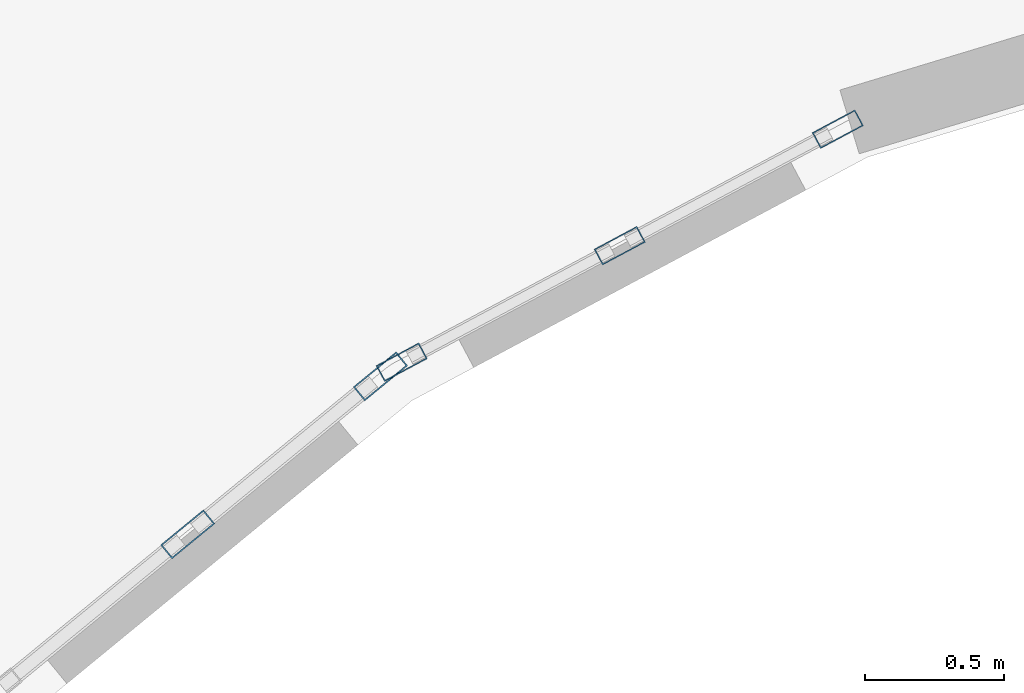
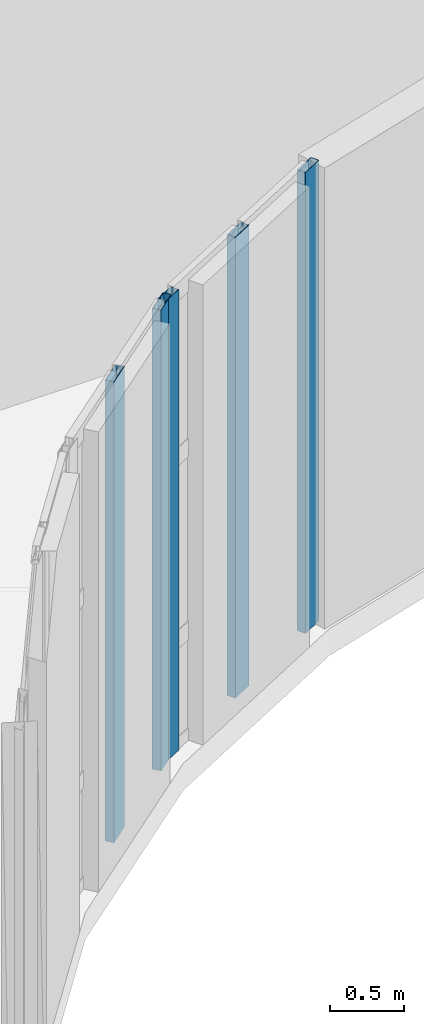
# One storey, part 46 of 105: 5 members, 2 elements without a shape of their own.
"""IFC4 building model written with IfcOpenShell, lengths in metres."""

from ifc_helpers import new_model, si_unit, direction, frame, origin, origin_2d, place, context, subcontext, project, spatial, hollow_rectangle, extrude, material, layer, layer_set, material_profile, profile_set, type_object, element, aggregate, save


model = new_model("IFC4")

# Units and contexts
model_context = context("Model", 3, precision=1e-05, world=origin(), true_north=direction((0.0, 1.0)))
body_context = subcontext(model_context, "Body", "Model", "MODEL_VIEW")
ifc_project = project(units=[si_unit("LENGTHUNIT", "METRE"), si_unit("AREAUNIT", "SQUARE_METRE"), si_unit("VOLUMEUNIT", "CUBIC_METRE"), si_unit("PLANEANGLEUNIT", "RADIAN"), si_unit("MASSUNIT", "GRAM", prefix="KILO")], contexts=[model_context])

# Site, building, storey
site_placement = place(None, origin())
site = spatial("IfcSite", under=ifc_project, at=site_placement, CompositionType="ELEMENT")
building_placement = place(site_placement, origin())
building = spatial("IfcBuilding", under=site, at=building_placement, Name="Kelanivale Promenade Academy", CompositionType="ELEMENT")
storey_placement = place(building_placement, frame((0.0, 0.0, 4.199951171875)))
storey = spatial("IfcBuildingStorey", under=building, at=storey_placement, Name="L01", CompositionType="ELEMENT", Elevation=4.199951171875)

# Curtain wall, members
ifc_material_1 = material(Name="Bronze anodised aluminium and solar-control low-E glass", Category="aluminium")
ifc_layer_1 = layer(ifc_material_1, 0.179931640625)
ifc_layer_set_1 = layer_set([ifc_layer_1], Name="Bronze anodised aluminium and solar-control low-E glass")
curtain_wall_type_1 = type_object("IfcCurtainWallType", Name="CW-11 Curtain Wall 1950mm Module", PredefinedType="USERDEFINED", material=ifc_layer_set_1)
curtain_wall_1_placement = place(storey_placement, origin())
curtain_wall_1 = element("IfcCurtainWall", 1, at=curtain_wall_1_placement, inside=storey, type_object=curtain_wall_type_1, Name="L01 courtyard curtain wall CW-11", ObjectType="UNITISED GLAZING", PredefinedType="USERDEFINED")
ifc_material_2 = material(Name="Bronze anodised aluminium EN AW-6063 T6", Category="aluminium")
ifc_material_profile_1 = material_profile(ifc_material_2, hollow_rectangle(XDim=0.06494140625, YDim=0.175048828125, WallThickness=0.00390625, at=origin_2d()), Name="ALU 65x175x4.0")
ifc_profile_set_1 = profile_set([ifc_material_profile_1], Name="Bronze anodised aluminium EN AW-6063 T6")
member_type_1 = type_object("IfcMemberType", Name="CWM-03 ALU 65x175x4.0", PredefinedType="MULLION", material=ifc_profile_set_1)
member_1_placement = place(storey_placement, frame((95.057373046875, 65.677734375, 0.0), z_axis=(0.0, 0.0, 1.0), x_axis=(0.471290193914, -0.881978204448, 0.0)))
member_1 = element("IfcMember", 2, at=member_1_placement, type_object=member_type_1, Name="CW-11 mullion 1", PredefinedType="MULLION", context=body_context, shape_type="SweptSolid", body=[
    extrude(hollow_rectangle(XDim=0.06494140625, YDim=0.175048828125, WallThickness=0.00390625, at=origin_2d()), origin(), (0.0, 0.0, 1.0), 3.780029296875),
])
member_2_placement = place(storey_placement, frame((94.27099609375, 65.257568359375, 0.0), z_axis=(0.0, 0.0, 1.0), x_axis=(0.471290193914, -0.881978204448, 0.0)))
member_2 = element("IfcMember", 3, at=member_2_placement, type_object=member_type_1, Name="CW-11 mullion 2", PredefinedType="MULLION", context=body_context, shape_type="SweptSolid", body=[
    extrude(hollow_rectangle(XDim=0.06494140625, YDim=0.175048828125, WallThickness=0.00390625, at=origin_2d()), origin(), (0.0, 0.0, 1.0), 3.780029296875),
])
member_3_placement = place(storey_placement, frame((93.484619140625, 64.83740234375, 0.0), z_axis=(0.0, 0.0, 1.0), x_axis=(0.471290193914, -0.881978204448, 0.0)))
member_3 = element("IfcMember", 4, at=member_3_placement, type_object=member_type_1, Name="CW-11 mullion 3", PredefinedType="MULLION", context=body_context, shape_type="SweptSolid", body=[
    extrude(hollow_rectangle(XDim=0.06494140625, YDim=0.175048828125, WallThickness=0.00390625, at=origin_2d()), origin(), (0.0, 0.0, 1.0), 3.780029296875),
])
aggregate(curtain_wall_1, [member_1, member_2, member_3])

ifc_layer_2 = layer(ifc_material_1, 0.159912109375)
ifc_layer_set_2 = layer_set([ifc_layer_2], Name="Bronze anodised aluminium and solar-control low-E glass")
curtain_wall_type_2 = type_object("IfcCurtainWallType", Name="CW-12 Curtain Wall 1200mm Module", PredefinedType="USERDEFINED", material=ifc_layer_set_2)
curtain_wall_2_placement = place(storey_placement, origin())
curtain_wall_2 = element("IfcCurtainWall", 5, at=curtain_wall_2_placement, inside=storey, type_object=curtain_wall_type_2, Name="L01 courtyard curtain wall CW-12", ObjectType="UNITISED GLAZING", PredefinedType="USERDEFINED")
ifc_material_profile_2 = material_profile(ifc_material_2, hollow_rectangle(XDim=0.06494140625, YDim=0.199951171875, WallThickness=0.00439453125, at=origin_2d()), Name="ALU 65x200x4.5")
ifc_profile_set_2 = profile_set([ifc_material_profile_2], Name="Bronze anodised aluminium EN AW-6063 T6")
member_type_2 = type_object("IfcMemberType", Name="CWM-04 ALU 65x200x4.5", PredefinedType="MULLION", material=ifc_profile_set_2)
member_4_placement = place(storey_placement, frame((93.407958984375, 64.786376953125, 0.0), z_axis=(0.0, 0.0, 1.0), x_axis=(0.634143799719, -0.773215132597, 0.0)))
member_4 = element("IfcMember", 6, at=member_4_placement, type_object=member_type_2, Name="CW-12 mullion 1", PredefinedType="MULLION", context=body_context, shape_type="SweptSolid", body=[
    extrude(hollow_rectangle(XDim=0.06494140625, YDim=0.199951171875, WallThickness=0.00439453125, at=origin_2d()), origin(), (0.0, 0.0, 1.0), 3.780029296875),
])
member_5_placement = place(storey_placement, frame((92.712890625, 64.216552734375, 0.0), z_axis=(0.0, 0.0, 1.0), x_axis=(0.634143799719, -0.773215132597, 0.0)))
member_5 = element("IfcMember", 7, at=member_5_placement, type_object=member_type_2, Name="CW-12 mullion 2", PredefinedType="MULLION", context=body_context, shape_type="SweptSolid", body=[
    extrude(hollow_rectangle(XDim=0.06494140625, YDim=0.199951171875, WallThickness=0.00439453125, at=origin_2d()), origin(), (0.0, 0.0, 1.0), 3.780029296875),
])
aggregate(curtain_wall_2, [member_4, member_5])

save(model, "model.ifc")
